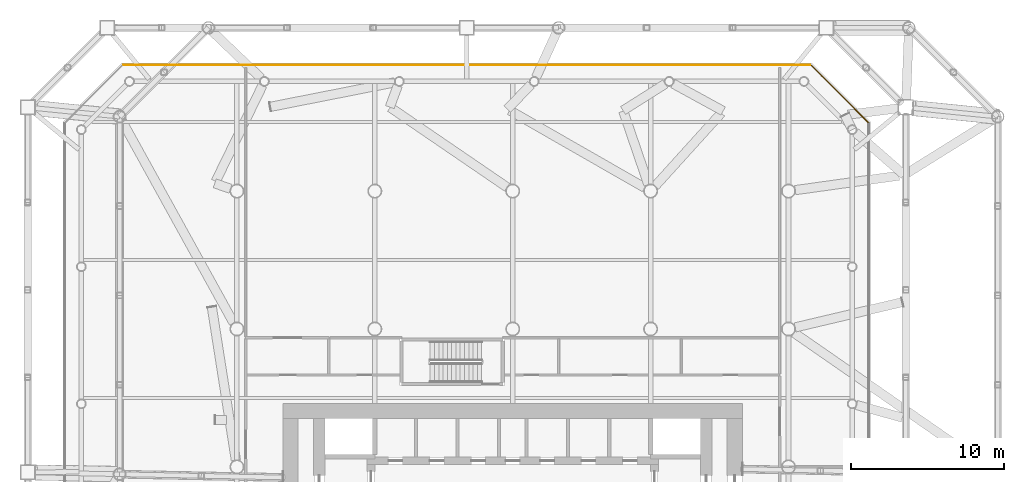
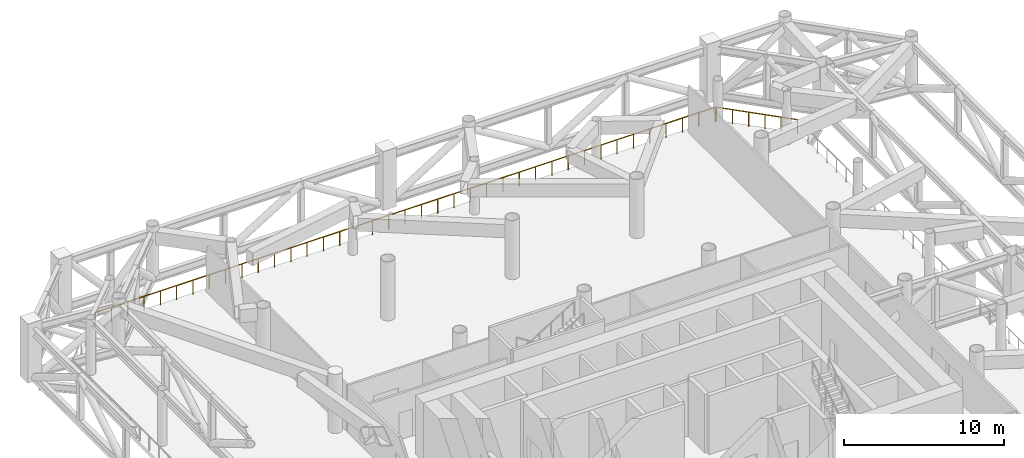
# One storey, part 22 of 22: 2 railings.
"""IFC4 building model written with IfcOpenShell, lengths in metres."""

from ifc_helpers import new_model, si_unit, direction, frame, origin, origin_2d, place, context, subcontext, project, spatial, circle, extrude, material, type_object, element, save


model = new_model("IFC4")

# Units and contexts
model_context = context("Model", 3, precision=1e-05, world=origin(), true_north=direction((0.0, 1.0)))
body_context = subcontext(model_context, "Body", "Model", "MODEL_VIEW")
ifc_project = project(units=[si_unit("LENGTHUNIT", "METRE"), si_unit("AREAUNIT", "SQUARE_METRE"), si_unit("VOLUMEUNIT", "CUBIC_METRE"), si_unit("PLANEANGLEUNIT", "RADIAN"), si_unit("MASSUNIT", "GRAM", prefix="KILO")], contexts=[model_context])

# Site, building, storey
site_placement = place(None, origin())
site = spatial("IfcSite", under=ifc_project, at=site_placement, CompositionType="ELEMENT")
building_placement = place(site_placement, origin())
building = spatial("IfcBuilding", under=site, at=building_placement, Name="Tskaro Facet Tower", CompositionType="ELEMENT")
storey_placement = place(building_placement, frame((0.0, 0.0, 57.60009765625)))
storey = spatial("IfcBuildingStorey", under=building, at=storey_placement, Name="L13", CompositionType="ELEMENT", Elevation=57.60009765625)

# Railings
ifc_material = material(Name="Bronze anodised aluminium 6063-T6", Category="aluminium")
railing_type = type_object("IfcRailingType", Name="Bronze guard rail (GD1)", PredefinedType="GUARDRAIL", material=ifc_material)
railing_1_placement = place(storey_placement, frame((23.205078125, 22.49072265625, 0.0)))
element("IfcRailing", 1, at=railing_1_placement, inside=storey, type_object=railing_type, Name="Guard L13", PredefinedType="GUARDRAIL", context=body_context, shape_type="SweptSolid", body=[
    extrude(circle(Radius=0.02490234375, at=origin_2d()), frame((0.0, 0.0, 1.0751953125), z_axis=(-0.707106781187, 0.707106781187, 0.0), x_axis=(-0.707106781187, -0.707106781187, 0.0)), (0.0, 0.0, 1.0), 5.2529296875),
    extrude(circle(Radius=0.02001953125, at=origin_2d()), origin(), (0.0, 0.0, 1.0), 1.050048828125),
    extrude(circle(Radius=0.02001953125, at=origin_2d()), frame((-0.742919921875, 0.742919921875, 0.0)), (0.0, 0.0, 1.0), 1.050048828125),
    extrude(circle(Radius=0.02001953125, at=origin_2d()), frame((-1.48583984375, 1.48583984375, 0.0)), (0.0, 0.0, 1.0), 1.050048828125),
    extrude(circle(Radius=0.02001953125, at=origin_2d()), frame((-2.228515625, 2.228515625, 0.0)), (0.0, 0.0, 1.0), 1.050048828125),
    extrude(circle(Radius=0.02001953125, at=origin_2d()), frame((-2.971435546875, 2.971435546875, 0.0)), (0.0, 0.0, 1.0), 1.050048828125),
    extrude(circle(Radius=0.02001953125, at=origin_2d()), frame((-3.71435546875, 3.71435546875, 0.0)), (0.0, 0.0, 1.0), 1.050048828125),
])
railing_2_placement = place(storey_placement, frame((19.4140625, 26.237060546875, 0.0)))
element("IfcRailing", 2, at=railing_2_placement, inside=storey, type_object=railing_type, Name="Guard L13", PredefinedType="GUARDRAIL", context=body_context, shape_type="SweptSolid", body=[
    extrude(circle(Radius=0.02490234375, at=origin_2d()), frame((0.0, 0.0, 1.0751953125), z_axis=(-1.0, 0.0, 0.0), x_axis=(0.0, -1.0, 0.0)), (0.0, 0.0, 1.0), 44.828125),
    extrude(circle(Radius=0.02001953125, at=origin_2d()), origin(), (0.0, 0.0, 1.0), 1.050048828125),
    extrude(circle(Radius=0.02001953125, at=origin_2d()), frame((-1.1796875, 0.0, 0.0)), (0.0, 0.0, 1.0), 1.050048828125),
    extrude(circle(Radius=0.02001953125, at=origin_2d()), frame((-2.359375, 0.0, 0.0)), (0.0, 0.0, 1.0), 1.050048828125),
    extrude(circle(Radius=0.02001953125, at=origin_2d()), frame((-3.5390625, 0.0, 0.0)), (0.0, 0.0, 1.0), 1.050048828125),
    extrude(circle(Radius=0.02001953125, at=origin_2d()), frame((-4.71875, 0.0, 0.0)), (0.0, 0.0, 1.0), 1.050048828125),
    extrude(circle(Radius=0.02001953125, at=origin_2d()), frame((-5.8984375, 0.0, 0.0)), (0.0, 0.0, 1.0), 1.050048828125),
    extrude(circle(Radius=0.02001953125, at=origin_2d()), frame((-7.078125, 0.0, 0.0)), (0.0, 0.0, 1.0), 1.050048828125),
    extrude(circle(Radius=0.02001953125, at=origin_2d()), frame((-8.2578125, 0.0, 0.0)), (0.0, 0.0, 1.0), 1.050048828125),
    extrude(circle(Radius=0.02001953125, at=origin_2d()), frame((-9.4375, 0.0, 0.0)), (0.0, 0.0, 1.0), 1.050048828125),
    extrude(circle(Radius=0.02001953125, at=origin_2d()), frame((-10.6171875, 0.0, 0.0)), (0.0, 0.0, 1.0), 1.050048828125),
    extrude(circle(Radius=0.02001953125, at=origin_2d()), frame((-11.796875, 0.0, 0.0)), (0.0, 0.0, 1.0), 1.050048828125),
    extrude(circle(Radius=0.02001953125, at=origin_2d()), frame((-12.9765625, 0.0, 0.0)), (0.0, 0.0, 1.0), 1.050048828125),
    extrude(circle(Radius=0.02001953125, at=origin_2d()), frame((-14.15625, 0.0, 0.0)), (0.0, 0.0, 1.0), 1.050048828125),
    extrude(circle(Radius=0.02001953125, at=origin_2d()), frame((-15.3359375, 0.0, 0.0)), (0.0, 0.0, 1.0), 1.050048828125),
    extrude(circle(Radius=0.02001953125, at=origin_2d()), frame((-16.515625, 0.0, 0.0)), (0.0, 0.0, 1.0), 1.050048828125),
    extrude(circle(Radius=0.02001953125, at=origin_2d()), frame((-17.6953125, 0.0, 0.0)), (0.0, 0.0, 1.0), 1.050048828125),
    extrude(circle(Radius=0.02001953125, at=origin_2d()), frame((-18.875, 0.0, 0.0)), (0.0, 0.0, 1.0), 1.050048828125),
    extrude(circle(Radius=0.02001953125, at=origin_2d()), frame((-20.0546875, 0.0, 0.0)), (0.0, 0.0, 1.0), 1.050048828125),
    extrude(circle(Radius=0.02001953125, at=origin_2d()), frame((-21.234375, 0.0, 0.0)), (0.0, 0.0, 1.0), 1.050048828125),
    extrude(circle(Radius=0.02001953125, at=origin_2d()), frame((-22.4140625, 0.0, 0.0)), (0.0, 0.0, 1.0), 1.050048828125),
    extrude(circle(Radius=0.02001953125, at=origin_2d()), frame((-23.59375, 0.0, 0.0)), (0.0, 0.0, 1.0), 1.050048828125),
    extrude(circle(Radius=0.02001953125, at=origin_2d()), frame((-24.7734375, 0.0, 0.0)), (0.0, 0.0, 1.0), 1.050048828125),
    extrude(circle(Radius=0.02001953125, at=origin_2d()), frame((-25.953125, 0.0, 0.0)), (0.0, 0.0, 1.0), 1.050048828125),
    extrude(circle(Radius=0.02001953125, at=origin_2d()), frame((-27.1328125, 0.0, 0.0)), (0.0, 0.0, 1.0), 1.050048828125),
    extrude(circle(Radius=0.02001953125, at=origin_2d()), frame((-28.3125, 0.0, 0.0)), (0.0, 0.0, 1.0), 1.050048828125),
    extrude(circle(Radius=0.02001953125, at=origin_2d()), frame((-29.4921875, 0.0, 0.0)), (0.0, 0.0, 1.0), 1.050048828125),
    extrude(circle(Radius=0.02001953125, at=origin_2d()), frame((-30.671875, 0.0, 0.0)), (0.0, 0.0, 1.0), 1.050048828125),
    extrude(circle(Radius=0.02001953125, at=origin_2d()), frame((-31.8515625, 0.0, 0.0)), (0.0, 0.0, 1.0), 1.050048828125),
    extrude(circle(Radius=0.02001953125, at=origin_2d()), frame((-33.03125, 0.0, 0.0)), (0.0, 0.0, 1.0), 1.050048828125),
    extrude(circle(Radius=0.02001953125, at=origin_2d()), frame((-34.2109375, 0.0, 0.0)), (0.0, 0.0, 1.0), 1.050048828125),
    extrude(circle(Radius=0.02001953125, at=origin_2d()), frame((-35.390625, 0.0, 0.0)), (0.0, 0.0, 1.0), 1.050048828125),
    extrude(circle(Radius=0.02001953125, at=origin_2d()), frame((-36.5703125, 0.0, 0.0)), (0.0, 0.0, 1.0), 1.050048828125),
    extrude(circle(Radius=0.02001953125, at=origin_2d()), frame((-37.75, 0.0, 0.0)), (0.0, 0.0, 1.0), 1.050048828125),
    extrude(circle(Radius=0.02001953125, at=origin_2d()), frame((-38.9296875, 0.0, 0.0)), (0.0, 0.0, 1.0), 1.050048828125),
    extrude(circle(Radius=0.02001953125, at=origin_2d()), frame((-40.109375, 0.0, 0.0)), (0.0, 0.0, 1.0), 1.050048828125),
    extrude(circle(Radius=0.02001953125, at=origin_2d()), frame((-41.2890625, 0.0, 0.0)), (0.0, 0.0, 1.0), 1.050048828125),
    extrude(circle(Radius=0.02001953125, at=origin_2d()), frame((-42.46875, 0.0, 0.0)), (0.0, 0.0, 1.0), 1.050048828125),
    extrude(circle(Radius=0.02001953125, at=origin_2d()), frame((-43.6484375, 0.0, 0.0)), (0.0, 0.0, 1.0), 1.050048828125),
    extrude(circle(Radius=0.02001953125, at=origin_2d()), frame((-44.828125, 0.0, 0.0)), (0.0, 0.0, 1.0), 1.050048828125),
])

save(model, "model.ifc")
